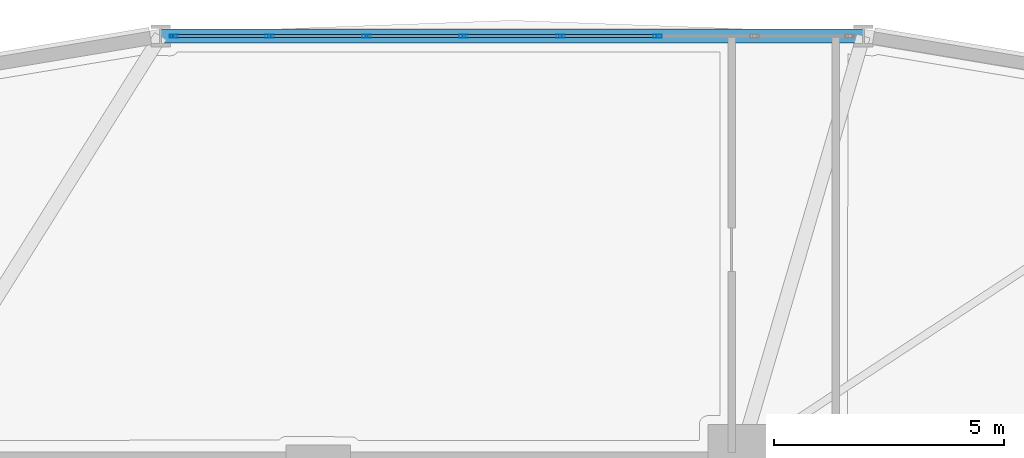
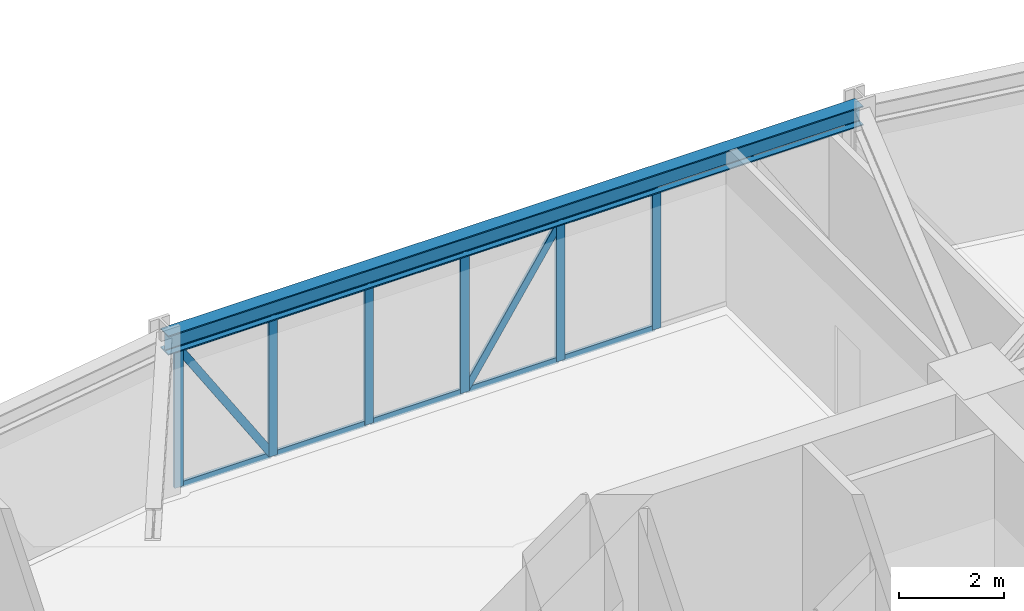
# One storey, part 10 of 21: 18 members, 1 beam, 1 element without a shape of its own.
"""IFC4 building model written with IfcOpenShell, lengths in metres."""

from ifc_helpers import new_model, si_unit, derived_unit, direction, frame, origin, origin_2d, place, context, subcontext, project, spatial, hollow_rectangle, i_section, extrude, source, transform, mapped, material, layer, layer_set, material_profile, profile_set, type_object, element, aggregate, save


model = new_model("IFC4")

# Units and contexts
model_context = context("Model", 3, precision=1e-05, world=origin(), true_north=direction((0.0, 1.0)))
body_context = subcontext(model_context, "Body", "Model", "MODEL_VIEW")
ifc_project = project(units=[si_unit("LENGTHUNIT", "METRE"), si_unit("AREAUNIT", "SQUARE_METRE"), si_unit("VOLUMEUNIT", "CUBIC_METRE"), si_unit("PLANEANGLEUNIT", "RADIAN"), si_unit("MASSUNIT", "GRAM", prefix="KILO"), derived_unit("THERMALTRANSMITTANCEUNIT", [(si_unit("POWERUNIT", "WATT"), 1), (si_unit("LENGTHUNIT", "METRE"), -2), (si_unit("THERMODYNAMICTEMPERATUREUNIT", "KELVIN"), -1)])], contexts=[model_context])

# Site, building, storey
site_placement = place(None, origin())
site = spatial("IfcSite", under=ifc_project, at=site_placement, CompositionType="ELEMENT")
building_placement = place(site_placement, origin())
building = spatial("IfcBuilding", under=site, at=building_placement, Name="Korsvarv Bourse and Concert Hall", CompositionType="ELEMENT")
storey_placement = place(building_placement, frame((0.0, 0.0, 63.89990234375)))
storey = spatial("IfcBuildingStorey", under=building, at=storey_placement, Name="L15", CompositionType="ELEMENT", Elevation=63.89990234375)

# Beam
ifc_material_1 = material(Name="Steel S355", Category="steel")
ifc_material_profile_1 = material_profile(ifc_material_1, i_section(OverallWidth=0.300048828125, OverallDepth=0.449951171875, WebThickness=0.013916015625, FlangeThickness=0.02587890625, FilletRadius=0.02099609375, at=origin_2d()), Name="HEB 450")
ifc_profile_set_1 = profile_set([ifc_material_profile_1], Name="Steel S355")
beam_type = type_object("IfcBeamType", Name="BM-HEB450", PredefinedType="SPANDREL", material=ifc_profile_set_1)
shared_shape_1 = source(origin(), body_context, "Body", "SweptSolid", [
    extrude(i_section(OverallWidth=0.300048828125, OverallDepth=0.449951171875, WebThickness=0.013916015625, FlangeThickness=0.02587890625, FilletRadius=0.02099609375, at=origin_2d()), origin(), (0.0, 0.0, 1.0), 15.25341796875),
])
beam_placement = place(storey_placement, frame((47.82666015625, 56.376708984375, 3.455078125), z_axis=(-1.0, 0.0, 0.0), x_axis=(0.0, -1.0, 0.0)))
element("IfcBeam", 1, at=beam_placement, inside=storey, type_object=beam_type, Name="L15 beam B-08", PredefinedType="SPANDREL", context=body_context, shape_type="MappedRepresentation", body=[
    mapped(shared_shape_1, transform((0.0, 0.0, 0.0), scale=1.0)),
])

# Curtain wall, members
ifc_material_2 = material(Name="Anodised aluminium and triple low-E glazing", Category="glass")
ifc_layer = layer(ifc_material_2, 0.219970703125)
ifc_layer_set = layer_set([ifc_layer], Name="Anodised aluminium and triple low-E glazing")
curtain_wall_type = type_object("IfcCurtainWallType", Name="CW-SYS-1", PredefinedType="NOTDEFINED", material=ifc_layer_set)
curtain_wall_placement = place(storey_placement, origin())
curtain_wall = element("IfcCurtainWall", 2, at=curtain_wall_placement, inside=storey, type_object=curtain_wall_type, Name="L15 CW1 curtain wall CW-L15-F03", PredefinedType="NOTDEFINED")
ifc_material_3 = material(Name="Extruded aluminium EN AW-6063 T66", Category="aluminium")
ifc_material_profile_2 = material_profile(ifc_material_3, hollow_rectangle(XDim=0.070068359375, YDim=0.18994140625, WallThickness=0.0048828125, at=origin_2d()), Name="ALU-M 70x190")
ifc_profile_set_2 = profile_set([ifc_material_profile_2], Name="Extruded aluminium EN AW-6063 T66")
member_type_1 = type_object("IfcMemberType", Name="CWM-190", PredefinedType="MULLION", material=ifc_profile_set_2)
shared_shape_2 = source(origin(), body_context, "Body", "SweptSolid", [
    extrude(hollow_rectangle(XDim=0.070068359375, YDim=0.18994140625, WallThickness=0.0048828125, at=origin_2d()), origin(), (0.0, 0.0, 1.0), 3.22998046875),
])
member_1_placement = place(storey_placement, frame((43.356201171875, 56.376708984375, 0.0), z_axis=(0.0, 0.0, 1.0), x_axis=(0.0, -1.0, 0.0)))
member_1 = element("IfcMember", 3, at=member_1_placement, type_object=member_type_1, Name="CW1 mullion 3", PredefinedType="MULLION", context=body_context, shape_type="MappedRepresentation", body=[
    mapped(shared_shape_2, transform((0.0, 0.0, 0.0), scale=1.0)),
])
member_2_placement = place(storey_placement, frame((41.252197265625, 56.376708984375, 0.0), z_axis=(0.0, 0.0, 1.0), x_axis=(0.0, -1.0, 0.0)))
member_2 = element("IfcMember", 4, at=member_2_placement, type_object=member_type_1, Name="CW1 mullion 4", PredefinedType="MULLION", context=body_context, shape_type="MappedRepresentation", body=[
    mapped(shared_shape_2, transform((0.0, 0.0, 0.0), scale=1.0)),
])
member_3_placement = place(storey_placement, frame((39.14794921875, 56.376708984375, 0.0), z_axis=(0.0, 0.0, 1.0), x_axis=(0.0, -1.0, 0.0)))
member_3 = element("IfcMember", 5, at=member_3_placement, type_object=member_type_1, Name="CW1 mullion 5", PredefinedType="MULLION", context=body_context, shape_type="MappedRepresentation", body=[
    mapped(shared_shape_2, transform((0.0, 0.0, 0.0), scale=1.0)),
])
member_4_placement = place(storey_placement, frame((37.043701171875, 56.376708984375, 0.0), z_axis=(0.0, 0.0, 1.0), x_axis=(0.0, -1.0, 0.0)))
member_4 = element("IfcMember", 6, at=member_4_placement, type_object=member_type_1, Name="CW1 mullion 6", PredefinedType="MULLION", context=body_context, shape_type="MappedRepresentation", body=[
    mapped(shared_shape_2, transform((0.0, 0.0, 0.0), scale=1.0)),
])
member_5_placement = place(storey_placement, frame((34.939453125, 56.376708984375, 0.0), z_axis=(0.0, 0.0, 1.0), x_axis=(0.0, -1.0, 0.0)))
member_5 = element("IfcMember", 7, at=member_5_placement, type_object=member_type_1, Name="CW1 mullion 7", PredefinedType="MULLION", context=body_context, shape_type="MappedRepresentation", body=[
    mapped(shared_shape_2, transform((0.0, 0.0, 0.0), scale=1.0)),
])
member_6_placement = place(storey_placement, frame((32.870361328125, 56.376708984375, 0.0), z_axis=(0.0, 0.0, 1.0), x_axis=(0.0, -1.0, 0.0)))
member_6 = element("IfcMember", 8, at=member_6_placement, type_object=member_type_1, Name="CW1 mullion 8", PredefinedType="MULLION", context=body_context, shape_type="MappedRepresentation", body=[
    mapped(shared_shape_2, transform((0.0, 0.0, 0.0), scale=1.0)),
])
ifc_material_profile_3 = material_profile(ifc_material_3, hollow_rectangle(XDim=0.06494140625, YDim=0.139892578125, WallThickness=0.00390625, at=origin_2d()), Name="ALU-T 65x140")
ifc_profile_set_3 = profile_set([ifc_material_profile_3], Name="Extruded aluminium EN AW-6063 T66")
member_type_2 = type_object("IfcMemberType", Name="CWT-140", PredefinedType="USERDEFINED", material=ifc_profile_set_3)
shared_shape_3 = source(origin(), body_context, "Body", "SweptSolid", [
    extrude(hollow_rectangle(XDim=0.06494140625, YDim=0.139892578125, WallThickness=0.00390625, at=origin_2d()), origin(), (0.0, 0.0, 1.0), 2.0341796875),
])
member_7_placement = place(storey_placement, frame((43.3212890625, 56.376708984375, 0.03271484375), z_axis=(-1.0, 0.0, 0.0), x_axis=(0.0, -1.0, 0.0)))
member_7 = element("IfcMember", 9, at=member_7_placement, type_object=member_type_2, Name="CW1 transom 3.1", ObjectType="TRANSOM", PredefinedType="USERDEFINED", context=body_context, shape_type="MappedRepresentation", body=[
    mapped(shared_shape_3, transform((0.0, 0.0, 0.0), scale=1.0)),
])
member_8_placement = place(storey_placement, frame((43.3212890625, 56.376708984375, 3.197509765625), z_axis=(-1.0, 0.0, 0.0), x_axis=(0.0, -1.0, 0.0)))
member_8 = element("IfcMember", 10, at=member_8_placement, type_object=member_type_2, Name="CW1 transom 3.2", ObjectType="TRANSOM", PredefinedType="USERDEFINED", context=body_context, shape_type="MappedRepresentation", body=[
    mapped(shared_shape_3, transform((0.0, 0.0, 0.0), scale=1.0)),
])
member_9_placement = place(storey_placement, frame((41.217041015625, 56.376708984375, 0.03271484375), z_axis=(-1.0, 0.0, 0.0), x_axis=(0.0, -1.0, 0.0)))
member_9 = element("IfcMember", 11, at=member_9_placement, type_object=member_type_2, Name="CW1 transom 4.1", ObjectType="TRANSOM", PredefinedType="USERDEFINED", context=body_context, shape_type="MappedRepresentation", body=[
    mapped(shared_shape_3, transform((0.0, 0.0, 0.0), scale=1.0)),
])
member_10_placement = place(storey_placement, frame((41.217041015625, 56.376708984375, 3.197509765625), z_axis=(-1.0, 0.0, 0.0), x_axis=(0.0, -1.0, 0.0)))
member_10 = element("IfcMember", 12, at=member_10_placement, type_object=member_type_2, Name="CW1 transom 4.2", ObjectType="TRANSOM", PredefinedType="USERDEFINED", context=body_context, shape_type="MappedRepresentation", body=[
    mapped(shared_shape_3, transform((0.0, 0.0, 0.0), scale=1.0)),
])
member_11_placement = place(storey_placement, frame((39.11279296875, 56.376708984375, 0.03271484375), z_axis=(-1.0, 0.0, 0.0), x_axis=(0.0, -1.0, 0.0)))
member_11 = element("IfcMember", 13, at=member_11_placement, type_object=member_type_2, Name="CW1 transom 5.1", ObjectType="TRANSOM", PredefinedType="USERDEFINED", context=body_context, shape_type="MappedRepresentation", body=[
    mapped(shared_shape_3, transform((0.0, 0.0, 0.0), scale=1.0)),
])
member_12_placement = place(storey_placement, frame((39.11279296875, 56.376708984375, 3.197509765625), z_axis=(-1.0, 0.0, 0.0), x_axis=(0.0, -1.0, 0.0)))
member_12 = element("IfcMember", 14, at=member_12_placement, type_object=member_type_2, Name="CW1 transom 5.2", ObjectType="TRANSOM", PredefinedType="USERDEFINED", context=body_context, shape_type="MappedRepresentation", body=[
    mapped(shared_shape_3, transform((0.0, 0.0, 0.0), scale=1.0)),
])
member_13_placement = place(storey_placement, frame((37.0087890625, 56.376708984375, 0.03271484375), z_axis=(-1.0, 0.0, 0.0), x_axis=(0.0, -1.0, 0.0)))
member_13 = element("IfcMember", 15, at=member_13_placement, type_object=member_type_2, Name="CW1 transom 6.1", ObjectType="TRANSOM", PredefinedType="USERDEFINED", context=body_context, shape_type="MappedRepresentation", body=[
    mapped(shared_shape_3, transform((0.0, 0.0, 0.0), scale=1.0)),
])
member_14_placement = place(storey_placement, frame((37.0087890625, 56.376708984375, 3.197509765625), z_axis=(-1.0, 0.0, 0.0), x_axis=(0.0, -1.0, 0.0)))
member_14 = element("IfcMember", 16, at=member_14_placement, type_object=member_type_2, Name="CW1 transom 6.2", ObjectType="TRANSOM", PredefinedType="USERDEFINED", context=body_context, shape_type="MappedRepresentation", body=[
    mapped(shared_shape_3, transform((0.0, 0.0, 0.0), scale=1.0)),
])
ifc_material_profile_4 = material_profile(ifc_material_3, hollow_rectangle(XDim=0.06494140625, YDim=0.1650390625, WallThickness=0.0048828125, at=origin_2d()), Name="ALU-M 65x165")
ifc_profile_set_4 = profile_set([ifc_material_profile_4], Name="Extruded aluminium EN AW-6063 T66")
member_type_3 = type_object("IfcMemberType", Name="CWM-165", PredefinedType="MULLION", material=ifc_profile_set_4)
shared_shape_4 = source(origin(), body_context, "Body", "SweptSolid", [
    extrude(hollow_rectangle(XDim=0.06494140625, YDim=0.1650390625, WallThickness=0.0048828125, at=origin_2d()), origin(), (0.0, 0.0, 1.0), 3.707763671875),
])
member_15_placement = place(storey_placement, frame((39.182861328125, 56.376708984375, 0.065185546875), z_axis=(0.54863774348, 0.0, 0.836060181105), x_axis=(0.0, 1.0, 0.0)))
member_15 = element("IfcMember", 17, at=member_15_placement, type_object=member_type_3, Name="CW1 diagonal mullion 4", PredefinedType="MULLION", context=body_context, shape_type="MappedRepresentation", body=[
    mapped(shared_shape_4, transform((0.0, 0.0, 0.0), scale=1.0)),
])
shared_shape_5 = source(origin(), body_context, "Body", "SweptSolid", [
    extrude(hollow_rectangle(XDim=0.06494140625, YDim=0.139892578125, WallThickness=0.00390625, at=origin_2d()), origin(), (0.0, 0.0, 1.0), 1.999267578125),
])
member_16_placement = place(storey_placement, frame((34.904541015625, 56.376708984375, 0.03271484375), z_axis=(-1.0, 0.0, 0.0), x_axis=(0.0, -1.0, 0.0)))
member_16 = element("IfcMember", 18, at=member_16_placement, type_object=member_type_2, Name="CW1 transom 7.1", ObjectType="TRANSOM", PredefinedType="USERDEFINED", context=body_context, shape_type="MappedRepresentation", body=[
    mapped(shared_shape_5, transform((0.0, 0.0, 0.0), scale=1.0)),
])
member_17_placement = place(storey_placement, frame((34.904541015625, 56.376708984375, 3.197509765625), z_axis=(-1.0, 0.0, 0.0), x_axis=(0.0, -1.0, 0.0)))
member_17 = element("IfcMember", 19, at=member_17_placement, type_object=member_type_2, Name="CW1 transom 7.2", ObjectType="TRANSOM", PredefinedType="USERDEFINED", context=body_context, shape_type="MappedRepresentation", body=[
    mapped(shared_shape_5, transform((0.0, 0.0, 0.0), scale=1.0)),
])
shared_shape_6 = source(origin(), body_context, "Body", "SweptSolid", [
    extrude(hollow_rectangle(XDim=0.06494140625, YDim=0.1650390625, WallThickness=0.0048828125, at=origin_2d()), origin(), (0.0, 0.0, 1.0), 3.688720703125),
])
member_18_placement = place(storey_placement, frame((34.904541015625, 56.376708984375, 0.065185546875), z_axis=(-0.542004751404, 0.0, 0.840375421734), x_axis=(0.0, -1.0, 0.0)))
member_18 = element("IfcMember", 20, at=member_18_placement, type_object=member_type_3, Name="CW1 diagonal mullion 7", PredefinedType="MULLION", context=body_context, shape_type="MappedRepresentation", body=[
    mapped(shared_shape_6, transform((0.0, 0.0, 0.0), scale=1.0)),
])
aggregate(curtain_wall, [member_1, member_2, member_3, member_4, member_5, member_6, member_7, member_8, member_9, member_10, member_15, member_11, member_12, member_13, member_14, member_16, member_17, member_18])

save(model, "model.ifc")
